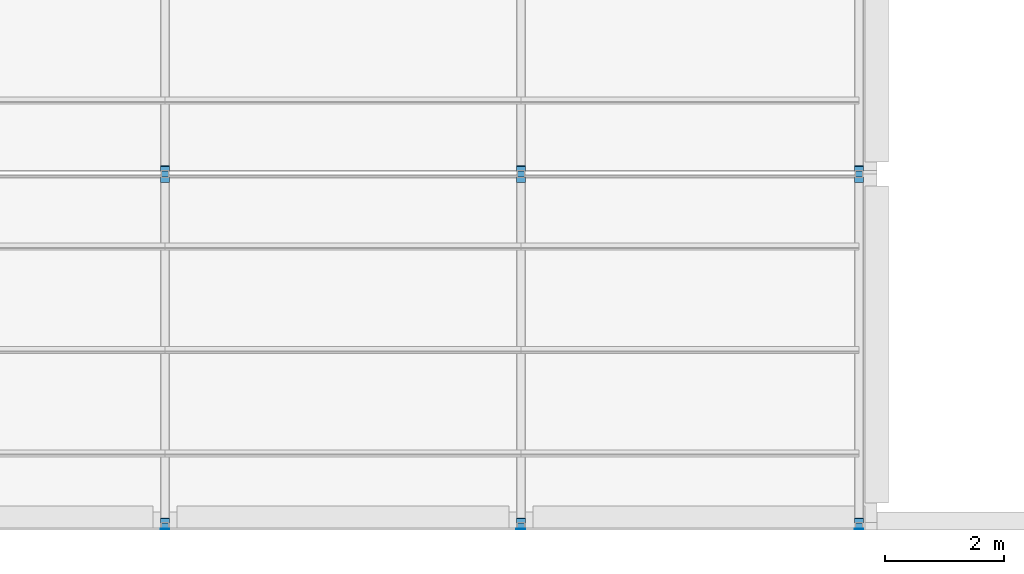
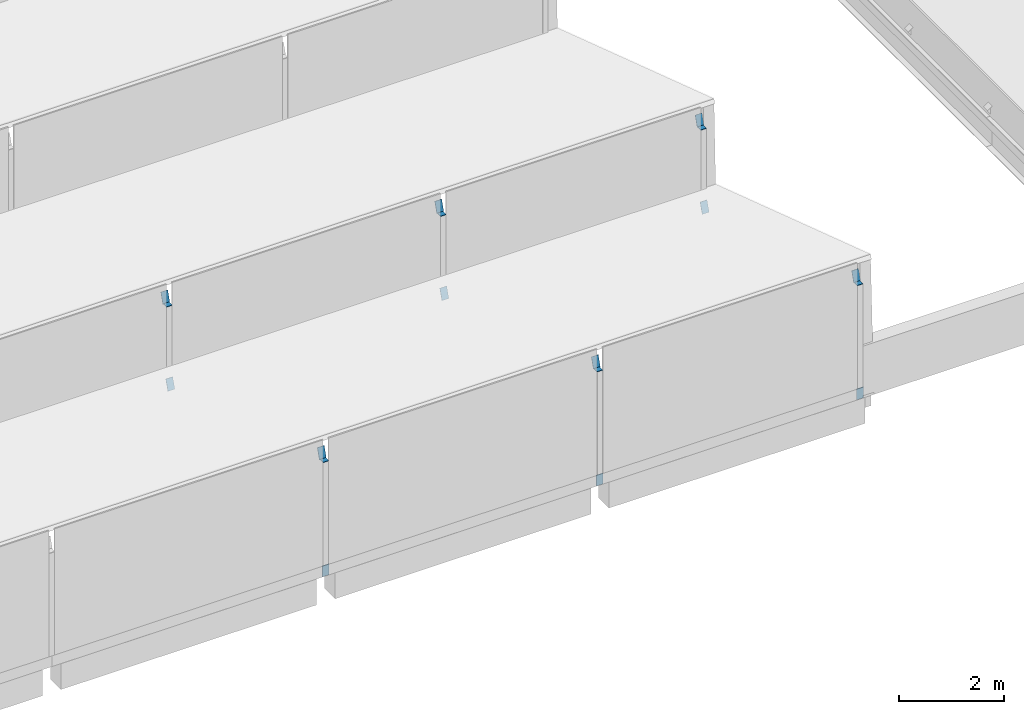
# One storey, part 80 of 118: 18 discrete accessories.
"""IFC4 building model written with IfcOpenShell, lengths in metres."""

import ifcopenshell
import ifcopenshell.guid

model = None  # the IFC model being written
_history = None  # IfcOwnerHistory: only IFC2X3 demands one
_inside = {}  # id of a spatial element -> (the spatial element, [elements in it])
_under = {}  # id of a project, library or spatial element -> (it, [spatial elements below it])
_declared = {}  # id of a project -> (the project, [libraries it declares])
_typed = {}  # id of a type object -> (the type object, [elements of that type])
_made_of = {}  # id of a material, layer set ... -> (it, [elements and type objects made of it])


def new_model(schema):
    """Start an empty IFC model of exactly this schema.

    Asked for "IFC4X3", IfcOpenShell would pick the latest addendum, in which some entities
    have other attributes; the version numbers below select the first issue.
    IFC2X3 requires an IfcOwnerHistory on every rooted entity: one is made here for all.
    """
    global model, _history
    if schema == "IFC4X3":
        model = ifcopenshell.file(schema_version=(4, 3, 0, 0))
    else:
        model = ifcopenshell.file(schema=schema)
    _inside.clear()
    _under.clear()
    _declared.clear()
    _typed.clear()
    _made_of.clear()
    _history = None
    if model.schema == "IFC2X3":
        org = make("IfcOrganization", Name="unknown")
        user = make(
            "IfcPersonAndOrganization",
            ThePerson=make("IfcPerson", FamilyName="unknown"),
            TheOrganization=org,
        )
        app = make(
            "IfcApplication",
            ApplicationDeveloper=org,
            Version="unknown",
            ApplicationFullName="unknown",
            ApplicationIdentifier="unknown",
        )
        _history = make(
            "IfcOwnerHistory",
            OwningUser=user,
            OwningApplication=app,
            ChangeAction="ADDED",
            CreationDate=0,
        )
    return model


def make(cls, **values):
    """One entity of the class cls with the attributes given. An attribute that is None is left unset."""
    return model.create_entity(
        cls, **{name: value for name, value in values.items() if value is not None}
    )


def rooted(cls, **values):
    """An entity with a GlobalId (a new one), such as an element, a storey or a relation."""
    return make(cls, GlobalId=ifcopenshell.guid.new(), OwnerHistory=_history, **values)


def si_unit(unit_type, name, prefix=None):
    """IfcSIUnit, for example si_unit("LENGTHUNIT", "METRE", prefix="MILLI")."""
    return make("IfcSIUnit", UnitType=unit_type, Prefix=prefix, Name=name)


def assignment(units):
    """IfcUnitAssignment: the units of a project."""
    return None if units is None else make("IfcUnitAssignment", Units=units)


def point(xyz):
    """IfcCartesianPoint."""
    return None if xyz is None else make("IfcCartesianPoint", Coordinates=xyz)


def direction(xyz):
    """IfcDirection."""
    return None if xyz is None else make("IfcDirection", DirectionRatios=xyz)


def frame(location, z_axis=None, x_axis=None):
    """IfcAxis2Placement3D, a coordinate frame: its origin and axes. An axis left out is left unset."""
    return make(
        "IfcAxis2Placement3D",
        Location=point(location),
        Axis=direction(z_axis),
        RefDirection=direction(x_axis),
    )


def frame_2d(location, x_axis=None):
    """IfcAxis2Placement2D, a coordinate frame in the plane: its origin and x axis."""
    return make(
        "IfcAxis2Placement2D", Location=point(location), RefDirection=direction(x_axis)
    )


def origin():
    """The frame at (0, 0, 0) with its axes left unset."""
    return frame((0.0, 0.0, 0.0))


def origin_2d():
    """The frame at (0, 0) in the plane with its x axis left unset."""
    return frame_2d((0.0, 0.0))


def place(relative_to, where):
    """IfcLocalPlacement: puts the frame where relative to a parent placement (None: the world)."""
    return make(
        "IfcLocalPlacement", PlacementRelTo=relative_to, RelativePlacement=where
    )


def context(
    kind, dimensions, precision=None, world=None, true_north=None, identifier=None
):
    """IfcGeometricRepresentationContext, for example the 3D "Model" context."""
    return make(
        "IfcGeometricRepresentationContext",
        ContextIdentifier=identifier,
        ContextType=kind,
        CoordinateSpaceDimension=dimensions,
        Precision=precision,
        WorldCoordinateSystem=world,
        TrueNorth=true_north,
    )


def subcontext(parent, identifier, kind, view, scale=None):
    """IfcGeometricRepresentationSubContext, for example "Body" below "Model"."""
    return make(
        "IfcGeometricRepresentationSubContext",
        ContextIdentifier=identifier,
        ContextType=kind,
        ParentContext=parent,
        TargetScale=scale,
        TargetView=view,
    )


def project(units=None, contexts=None):
    """IfcProject with its units and contexts."""
    return rooted(
        "IfcProject",
        Name="project",
        RepresentationContexts=contexts,
        UnitsInContext=assignment(units),
    )


def spatial(cls, under=None, at=None, **own):
    """A site, building, storey or space (cls), placed at a placement, below another one or the project."""
    s = rooted(cls, ObjectPlacement=at, **own)
    if under is not None:
        _under.setdefault(under.id(), (under, []))[1].append(s)
    return s


def profile(cls, at=None, kind="AREA", **sizes):
    """A parametric profile (cls). Its sizes go by their IFC names, for example OverallWidth=200.0."""
    return make(cls, ProfileType=kind, Position=at, **sizes)


def rectangle(**sizes):
    """IfcRectangleProfileDef."""
    return profile("IfcRectangleProfileDef", **sizes)


def extrude(swept, where, along, depth):
    """IfcExtrudedAreaSolid: the profile swept, set in the frame where, extruded along a direction by depth."""
    return make(
        "IfcExtrudedAreaSolid",
        SweptArea=swept,
        Position=where,
        ExtrudedDirection=direction(along),
        Depth=depth,
    )


def shape(context_of_items, identifier, shape_type, items):
    """IfcShapeRepresentation: the items that make up one representation, for example the "Body"."""
    return make(
        "IfcShapeRepresentation",
        ContextOfItems=context_of_items,
        RepresentationIdentifier=identifier,
        RepresentationType=shape_type,
        Items=items,
    )


def material(Name=None, Category=None):
    """IfcMaterial."""
    return make("IfcMaterial", Name=Name, Category=Category)


def material_profile(
    of_material, cross_section, Name=None, Category=None, Priority=None
):
    """IfcMaterialProfile: a cross section and its material."""
    return make(
        "IfcMaterialProfile",
        Name=Name,
        Material=of_material,
        Profile=cross_section,
        Priority=Priority,
        Category=Category,
    )


def profile_set(profiles, Name=None, composite=None):
    """IfcMaterialProfileSet."""
    return make(
        "IfcMaterialProfileSet",
        Name=Name,
        MaterialProfiles=profiles,
        CompositeProfile=composite,
    )


def made_of(thing, what):
    """Note that an element or type object is made of a material, layer set ...; save() writes the relation."""
    if what is not None:
        _made_of.setdefault(what.id(), (what, []))[1].append(thing)
    return thing


def type_object(cls, material=None, **own):
    """A type object (cls), such as IfcWallType, which elements share."""
    return made_of(rooted(cls, **own), material)


def element(
    cls,
    number,
    at=None,
    inside=None,
    cuts=None,
    type_object=None,
    material=None,
    context=None,
    identifier="Body",
    shape_type=None,
    held_by="IfcProductDefinitionShape",
    body=None,
    shapes=None,
    **own,
):
    """One element of the class cls, such as IfcWall. Its Tag is "e" and its number.

    at: its placement. inside: the storey or other place that contains it. cuts: it is an
    opening in that element (IfcRelVoidsElement). A single representation is given by context,
    identifier, shape_type and body (its items); several are given by shapes. held_by: the class
    of the entity that holds the representations. save() writes the other relations.
    """
    e = rooted(cls, Tag="e%d" % number, ObjectPlacement=at, **own)
    if body is not None:
        shapes = [shape(context, identifier, shape_type, body)]
    if shapes is not None:
        e.Representation = make(held_by, Representations=shapes)
    if inside is not None:
        _inside.setdefault(inside.id(), (inside, []))[1].append(e)
    if cuts is not None:
        rooted(
            "IfcRelVoidsElement", RelatingBuildingElement=cuts, RelatedOpeningElement=e
        )
    if type_object is not None:
        _typed.setdefault(type_object.id(), (type_object, []))[1].append(e)
    return made_of(e, material)


def aggregate(whole, parts):
    """IfcRelAggregates: a whole, such as a stair, and the parts it consists of."""
    return rooted("IfcRelAggregates", RelatingObject=whole, RelatedObjects=parts)


def save(model, path):
    """Write the relations noted so far, then the file.

    IfcRelAggregates (storeys below a building ...), IfcRelContainedInSpatialStructure (elements
    in a storey), IfcRelDefinesByType, IfcRelAssociatesMaterial and IfcRelDeclares: one each for
    every whole, place, type object, material and project.
    """
    for whole, parts in _under.values():
        aggregate(whole, parts)
    for where, things in _inside.values():
        rooted(
            "IfcRelContainedInSpatialStructure",
            RelatedElements=things,
            RelatingStructure=where,
        )
    for kind, things in _typed.values():
        rooted("IfcRelDefinesByType", RelatedObjects=things, RelatingType=kind)
    for what, things in _made_of.values():
        rooted("IfcRelAssociatesMaterial", RelatedObjects=things, RelatingMaterial=what)
    for by, libraries in _declared.values():
        rooted("IfcRelDeclares", RelatingContext=by, RelatedDefinitions=libraries)
    model.write(path)


model = new_model("IFC4")

# Units and contexts
model_context = context("Model", 3, precision=1e-05, world=origin(), true_north=direction((0.0, 1.0)))
body_context = subcontext(model_context, "Body", "Model", "MODEL_VIEW")
ifc_project = project(units=[si_unit("LENGTHUNIT", "METRE"), si_unit("AREAUNIT", "SQUARE_METRE"), si_unit("VOLUMEUNIT", "CUBIC_METRE"), si_unit("PLANEANGLEUNIT", "RADIAN"), si_unit("MASSUNIT", "GRAM", prefix="KILO")], contexts=[model_context])

# Site, building, storey
site_placement = place(None, origin())
site = spatial("IfcSite", under=ifc_project, at=site_placement, CompositionType="ELEMENT")
building_placement = place(site_placement, origin())
building = spatial("IfcBuilding", under=site, at=building_placement, Name="Saffron Lane Theatres", CompositionType="ELEMENT")
storey_placement = place(building_placement, frame((0.0, 0.0, 16.5)))
storey = spatial("IfcBuildingStorey", under=building, at=storey_placement, Name="L03", CompositionType="ELEMENT", Elevation=16.5)

# Discrete accessories
ifc_material_1 = material(Name="Steel Grade 350", Category="steel")
ifc_material_profile_1 = material_profile(ifc_material_1, rectangle(XDim=0.125, YDim=0.125, at=origin_2d()))
ifc_profile_set_1 = profile_set([ifc_material_profile_1], Name="Steel Grade 350")
discrete_accessory_type_1 = type_object("IfcDiscreteAccessoryType", Name="ST-STEEL END CAP 125x125x6 SHS", PredefinedType="ANCHORPLATE", material=ifc_profile_set_1)
for number, where, z_axis, x_axis, name in (
    (1, (18.0, 0.0625, 2.638671875), (0.0, 0.0, 1.0), (1.0, 0.0, 0.0), "EC174"),
    (2, (18.0, 6.0, 2.638671875), (0.0, 0.0, 1.0), (1.0, 0.0, 0.0), "EC177"),
    (3, (24.0, 0.0625, 2.638671875), (0.0, 0.0, 1.0), (1.0, 0.0, 0.0), "EC185"),
    (4, (24.0, 6.0, 2.638671875), (0.0, 0.0, 1.0), (1.0, 0.0, 0.0), "EC188"),
    (5, (29.699951171875, 0.0625, 2.638671875), (0.0, 0.0, 1.0), (1.0, 0.0, 0.0), "EC197"),
    (6, (29.699951171875, 6.0, 2.638671875), (0.0, 0.0, 1.0), (1.0, 0.0, 0.0), "EC200"),
):
    element("IfcDiscreteAccessory", number, at=place(storey_placement, frame(where, z_axis=z_axis, x_axis=x_axis)), inside=storey, type_object=discrete_accessory_type_1, Name=name, PredefinedType="ANCHORPLATE", context=body_context, shape_type="SweptSolid", body=[
        extrude(rectangle(XDim=0.125, YDim=0.125, at=origin_2d()), origin(), (0.0, 0.0, 1.0), 0.011962890625),
    ])
ifc_material_2 = material(Name="Steel Grade 350", Category="steel")
ifc_material_profile_2 = material_profile(ifc_material_2, rectangle(XDim=0.14990234375, YDim=0.25, at=origin_2d()))
ifc_profile_set_2 = profile_set([ifc_material_profile_2], Name="Steel Grade 350")
discrete_accessory_type_2 = type_object("IfcDiscreteAccessoryType", Name="ST-STEEL END CAP 250x150x9 RHS", PredefinedType="ANCHORPLATE", material=ifc_profile_set_2)
discrete_accessory_1_placement = place(storey_placement, frame((18.0, 0.008056640625, 0.125), z_axis=(0.0, 1.0, 0.0), x_axis=(-1.0, 0.0, 0.0)))
element("IfcDiscreteAccessory", 7, at=discrete_accessory_1_placement, inside=storey, type_object=discrete_accessory_type_2, Name="EC173", PredefinedType="ANCHORPLATE", context=body_context, shape_type="SweptSolid", body=[
    extrude(rectangle(XDim=0.14990234375, YDim=0.25, at=origin_2d()), origin(), (0.0, 0.0, 1.0), 0.011962890625),
])
discrete_accessory_2_placement = place(storey_placement, frame((18.0, 0.15283203125, 2.76123046875), z_axis=(0.0, 0.950729839481, -0.310020599831), x_axis=(-1.0, 0.0, 0.0)))
element("IfcDiscreteAccessory", 8, at=discrete_accessory_2_placement, inside=storey, type_object=discrete_accessory_type_2, Name="EC175", PredefinedType="ANCHORPLATE", context=body_context, shape_type="SweptSolid", body=[
    extrude(rectangle(XDim=0.14990234375, YDim=0.25, at=origin_2d()), origin(), (0.0, 0.0, 1.0), 0.01171875),
])
discrete_accessory_3_placement = place(storey_placement, frame((18.0, 5.8984375, 0.865234375), z_axis=(0.0, 0.944496796706, -0.328520624941), x_axis=(-1.0, 0.0, 0.0)))
element("IfcDiscreteAccessory", 9, at=discrete_accessory_3_placement, inside=storey, type_object=discrete_accessory_type_2, Name="EC176", PredefinedType="ANCHORPLATE", context=body_context, shape_type="SweptSolid", body=[
    extrude(rectangle(XDim=0.14990234375, YDim=0.25, at=origin_2d()), origin(), (0.0, 0.0, 1.0), 0.011962890625),
])
discrete_accessory_4_placement = place(storey_placement, frame((18.0, 6.09033203125, 2.76123046875), z_axis=(0.0, 0.950729839481, -0.310020599831), x_axis=(-1.0, 0.0, 0.0)))
element("IfcDiscreteAccessory", 10, at=discrete_accessory_4_placement, inside=storey, type_object=discrete_accessory_type_2, Name="EC178", PredefinedType="ANCHORPLATE", context=body_context, shape_type="SweptSolid", body=[
    extrude(rectangle(XDim=0.14990234375, YDim=0.25, at=origin_2d()), origin(), (0.0, 0.0, 1.0), 0.01171875),
])
discrete_accessory_5_placement = place(storey_placement, frame((24.0, 0.008056640625, 0.125), z_axis=(0.0, 1.0, 0.0), x_axis=(-1.0, 0.0, 0.0)))
element("IfcDiscreteAccessory", 11, at=discrete_accessory_5_placement, inside=storey, type_object=discrete_accessory_type_2, Name="EC184", PredefinedType="ANCHORPLATE", context=body_context, shape_type="SweptSolid", body=[
    extrude(rectangle(XDim=0.14990234375, YDim=0.25, at=origin_2d()), origin(), (0.0, 0.0, 1.0), 0.011962890625),
])
discrete_accessory_6_placement = place(storey_placement, frame((24.0, 0.15283203125, 2.76123046875), z_axis=(0.0, 0.950729839481, -0.310020599831), x_axis=(-1.0, 0.0, 0.0)))
element("IfcDiscreteAccessory", 12, at=discrete_accessory_6_placement, inside=storey, type_object=discrete_accessory_type_2, Name="EC186", PredefinedType="ANCHORPLATE", context=body_context, shape_type="SweptSolid", body=[
    extrude(rectangle(XDim=0.14990234375, YDim=0.25, at=origin_2d()), origin(), (0.0, 0.0, 1.0), 0.01171875),
])
discrete_accessory_7_placement = place(storey_placement, frame((24.0, 5.8984375, 0.865234375), z_axis=(0.0, 0.944496796706, -0.328520624941), x_axis=(-1.0, 0.0, 0.0)))
element("IfcDiscreteAccessory", 13, at=discrete_accessory_7_placement, inside=storey, type_object=discrete_accessory_type_2, Name="EC187", PredefinedType="ANCHORPLATE", context=body_context, shape_type="SweptSolid", body=[
    extrude(rectangle(XDim=0.14990234375, YDim=0.25, at=origin_2d()), origin(), (0.0, 0.0, 1.0), 0.011962890625),
])
discrete_accessory_8_placement = place(storey_placement, frame((24.0, 6.09033203125, 2.76123046875), z_axis=(0.0, 0.950729839481, -0.310020599831), x_axis=(-1.0, 0.0, 0.0)))
element("IfcDiscreteAccessory", 14, at=discrete_accessory_8_placement, inside=storey, type_object=discrete_accessory_type_2, Name="EC189", PredefinedType="ANCHORPLATE", context=body_context, shape_type="SweptSolid", body=[
    extrude(rectangle(XDim=0.14990234375, YDim=0.25, at=origin_2d()), origin(), (0.0, 0.0, 1.0), 0.01171875),
])
discrete_accessory_9_placement = place(storey_placement, frame((29.699951171875, 0.008056640625, 0.125), z_axis=(0.0, 1.0, 0.0), x_axis=(-1.0, 0.0, 0.0)))
element("IfcDiscreteAccessory", 15, at=discrete_accessory_9_placement, inside=storey, type_object=discrete_accessory_type_2, Name="EC195", PredefinedType="ANCHORPLATE", context=body_context, shape_type="SweptSolid", body=[
    extrude(rectangle(XDim=0.14990234375, YDim=0.25, at=origin_2d()), origin(), (0.0, 0.0, 1.0), 0.011962890625),
])
discrete_accessory_10_placement = place(storey_placement, frame((29.699951171875, 0.15283203125, 2.76123046875), z_axis=(0.0, 0.950729839481, -0.310020599831), x_axis=(-1.0, 0.0, 0.0)))
element("IfcDiscreteAccessory", 16, at=discrete_accessory_10_placement, inside=storey, type_object=discrete_accessory_type_2, Name="EC198", PredefinedType="ANCHORPLATE", context=body_context, shape_type="SweptSolid", body=[
    extrude(rectangle(XDim=0.14990234375, YDim=0.25, at=origin_2d()), origin(), (0.0, 0.0, 1.0), 0.01171875),
])
discrete_accessory_11_placement = place(storey_placement, frame((29.699951171875, 5.8984375, 0.865234375), z_axis=(0.0, 0.944496796706, -0.328520624941), x_axis=(-1.0, 0.0, 0.0)))
element("IfcDiscreteAccessory", 17, at=discrete_accessory_11_placement, inside=storey, type_object=discrete_accessory_type_2, Name="EC199", PredefinedType="ANCHORPLATE", context=body_context, shape_type="SweptSolid", body=[
    extrude(rectangle(XDim=0.14990234375, YDim=0.25, at=origin_2d()), origin(), (0.0, 0.0, 1.0), 0.011962890625),
])
discrete_accessory_12_placement = place(storey_placement, frame((29.699951171875, 6.09033203125, 2.76123046875), z_axis=(0.0, 0.950729839481, -0.310020599831), x_axis=(-1.0, 0.0, 0.0)))
element("IfcDiscreteAccessory", 18, at=discrete_accessory_12_placement, inside=storey, type_object=discrete_accessory_type_2, Name="EC201", PredefinedType="ANCHORPLATE", context=body_context, shape_type="SweptSolid", body=[
    extrude(rectangle(XDim=0.14990234375, YDim=0.25, at=origin_2d()), origin(), (0.0, 0.0, 1.0), 0.01171875),
])

save(model, "model.ifc")
